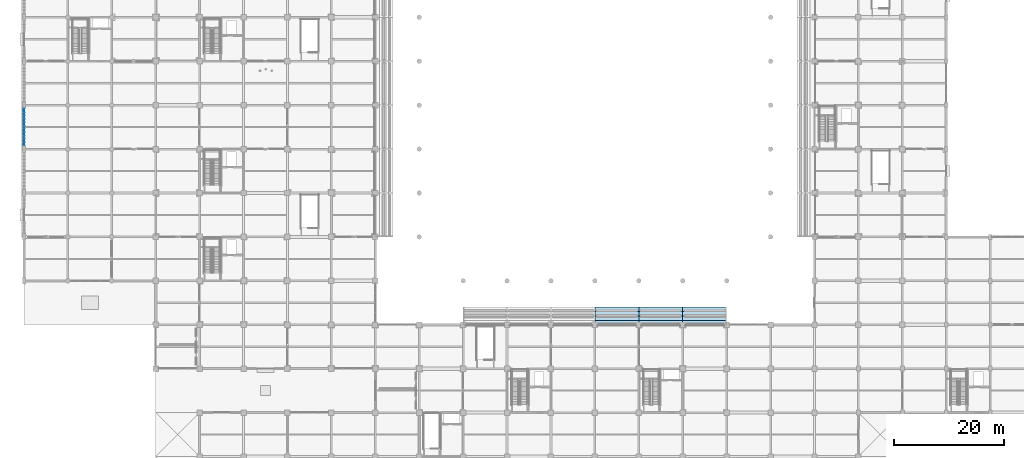
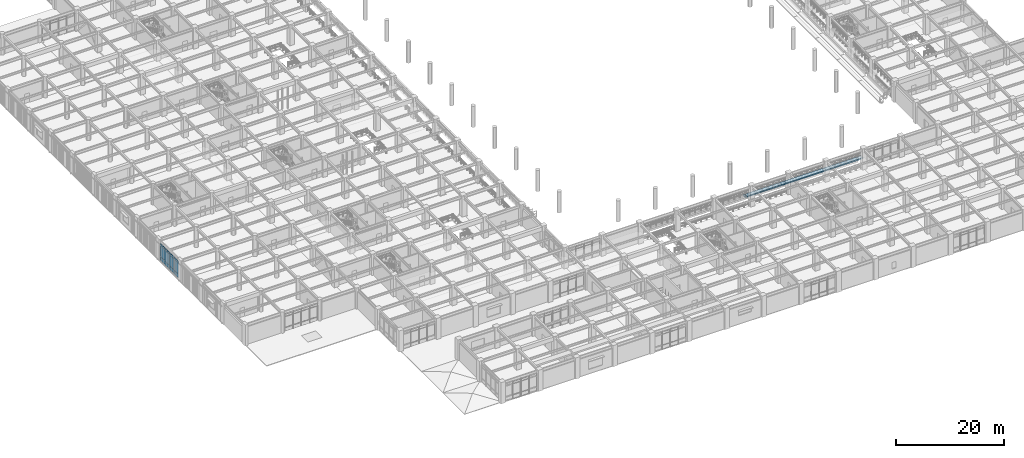
# One storey, part 59 of 117: 12 plates, 12 slabs, 1 element without a shape of its own.
"""IFC4 building model written with IfcOpenShell, lengths in metres."""

import ifcopenshell
import ifcopenshell.guid

model = None  # the IFC model being written
_history = None  # IfcOwnerHistory: only IFC2X3 demands one
_inside = {}  # id of a spatial element -> (the spatial element, [elements in it])
_under = {}  # id of a project, library or spatial element -> (it, [spatial elements below it])
_declared = {}  # id of a project -> (the project, [libraries it declares])
_typed = {}  # id of a type object -> (the type object, [elements of that type])
_made_of = {}  # id of a material, layer set ... -> (it, [elements and type objects made of it])


def new_model(schema):
    """Start an empty IFC model of exactly this schema.

    Asked for "IFC4X3", IfcOpenShell would pick the latest addendum, in which some entities
    have other attributes; the version numbers below select the first issue.
    IFC2X3 requires an IfcOwnerHistory on every rooted entity: one is made here for all.
    """
    global model, _history
    if schema == "IFC4X3":
        model = ifcopenshell.file(schema_version=(4, 3, 0, 0))
    else:
        model = ifcopenshell.file(schema=schema)
    _inside.clear()
    _under.clear()
    _declared.clear()
    _typed.clear()
    _made_of.clear()
    _history = None
    if model.schema == "IFC2X3":
        org = make("IfcOrganization", Name="unknown")
        user = make(
            "IfcPersonAndOrganization",
            ThePerson=make("IfcPerson", FamilyName="unknown"),
            TheOrganization=org,
        )
        app = make(
            "IfcApplication",
            ApplicationDeveloper=org,
            Version="unknown",
            ApplicationFullName="unknown",
            ApplicationIdentifier="unknown",
        )
        _history = make(
            "IfcOwnerHistory",
            OwningUser=user,
            OwningApplication=app,
            ChangeAction="ADDED",
            CreationDate=0,
        )
    return model


def make(cls, **values):
    """One entity of the class cls with the attributes given. An attribute that is None is left unset."""
    return model.create_entity(
        cls, **{name: value for name, value in values.items() if value is not None}
    )


def rooted(cls, **values):
    """An entity with a GlobalId (a new one), such as an element, a storey or a relation."""
    return make(cls, GlobalId=ifcopenshell.guid.new(), OwnerHistory=_history, **values)


def si_unit(unit_type, name, prefix=None):
    """IfcSIUnit, for example si_unit("LENGTHUNIT", "METRE", prefix="MILLI")."""
    return make("IfcSIUnit", UnitType=unit_type, Prefix=prefix, Name=name)


def assignment(units):
    """IfcUnitAssignment: the units of a project."""
    return None if units is None else make("IfcUnitAssignment", Units=units)


def point(xyz):
    """IfcCartesianPoint."""
    return None if xyz is None else make("IfcCartesianPoint", Coordinates=xyz)


def direction(xyz):
    """IfcDirection."""
    return None if xyz is None else make("IfcDirection", DirectionRatios=xyz)


def frame(location, z_axis=None, x_axis=None):
    """IfcAxis2Placement3D, a coordinate frame: its origin and axes. An axis left out is left unset."""
    return make(
        "IfcAxis2Placement3D",
        Location=point(location),
        Axis=direction(z_axis),
        RefDirection=direction(x_axis),
    )


def frame_2d(location, x_axis=None):
    """IfcAxis2Placement2D, a coordinate frame in the plane: its origin and x axis."""
    return make(
        "IfcAxis2Placement2D", Location=point(location), RefDirection=direction(x_axis)
    )


def origin():
    """The frame at (0, 0, 0) with its axes left unset."""
    return frame((0.0, 0.0, 0.0))


def origin_2d():
    """The frame at (0, 0) in the plane with its x axis left unset."""
    return frame_2d((0.0, 0.0))


def place(relative_to, where):
    """IfcLocalPlacement: puts the frame where relative to a parent placement (None: the world)."""
    return make(
        "IfcLocalPlacement", PlacementRelTo=relative_to, RelativePlacement=where
    )


def context(
    kind, dimensions, precision=None, world=None, true_north=None, identifier=None
):
    """IfcGeometricRepresentationContext, for example the 3D "Model" context."""
    return make(
        "IfcGeometricRepresentationContext",
        ContextIdentifier=identifier,
        ContextType=kind,
        CoordinateSpaceDimension=dimensions,
        Precision=precision,
        WorldCoordinateSystem=world,
        TrueNorth=true_north,
    )


def subcontext(parent, identifier, kind, view, scale=None):
    """IfcGeometricRepresentationSubContext, for example "Body" below "Model"."""
    return make(
        "IfcGeometricRepresentationSubContext",
        ContextIdentifier=identifier,
        ContextType=kind,
        ParentContext=parent,
        TargetScale=scale,
        TargetView=view,
    )


def project(units=None, contexts=None):
    """IfcProject with its units and contexts."""
    return rooted(
        "IfcProject",
        Name="project",
        RepresentationContexts=contexts,
        UnitsInContext=assignment(units),
    )


def spatial(cls, under=None, at=None, **own):
    """A site, building, storey or space (cls), placed at a placement, below another one or the project."""
    s = rooted(cls, ObjectPlacement=at, **own)
    if under is not None:
        _under.setdefault(under.id(), (under, []))[1].append(s)
    return s


def polyline(points):
    """IfcPolyline through the points."""
    return make("IfcPolyline", Points=[point(p) for p in points])


def profile(cls, at=None, kind="AREA", **sizes):
    """A parametric profile (cls). Its sizes go by their IFC names, for example OverallWidth=200.0."""
    return make(cls, ProfileType=kind, Position=at, **sizes)


def rectangle(**sizes):
    """IfcRectangleProfileDef."""
    return profile("IfcRectangleProfileDef", **sizes)


def outline(outer, holes=None, kind="AREA"):
    """IfcArbitraryClosedProfileDef: a profile drawn as a closed curve; with holes, ...WithVoids."""
    if holes is None:
        return make("IfcArbitraryClosedProfileDef", ProfileType=kind, OuterCurve=outer)
    return make(
        "IfcArbitraryProfileDefWithVoids",
        ProfileType=kind,
        OuterCurve=outer,
        InnerCurves=holes,
    )


def extrude(swept, where, along, depth):
    """IfcExtrudedAreaSolid: the profile swept, set in the frame where, extruded along a direction by depth."""
    return make(
        "IfcExtrudedAreaSolid",
        SweptArea=swept,
        Position=where,
        ExtrudedDirection=direction(along),
        Depth=depth,
    )


def shape(context_of_items, identifier, shape_type, items):
    """IfcShapeRepresentation: the items that make up one representation, for example the "Body"."""
    return make(
        "IfcShapeRepresentation",
        ContextOfItems=context_of_items,
        RepresentationIdentifier=identifier,
        RepresentationType=shape_type,
        Items=items,
    )


def material(Name=None, Category=None):
    """IfcMaterial."""
    return make("IfcMaterial", Name=Name, Category=Category)


def layer(
    of_material, thickness, ventilated=None, Name=None, Category=None, Priority=None
):
    """IfcMaterialLayer: one layer of a wall or slab, of a material (None: an air gap)."""
    return make(
        "IfcMaterialLayer",
        Material=of_material,
        LayerThickness=thickness,
        IsVentilated=ventilated,
        Name=Name,
        Category=Category,
        Priority=Priority,
    )


def layer_set(layers, Name=None):
    """IfcMaterialLayerSet."""
    return make("IfcMaterialLayerSet", MaterialLayers=layers, LayerSetName=Name)


def made_of(thing, what):
    """Note that an element or type object is made of a material, layer set ...; save() writes the relation."""
    if what is not None:
        _made_of.setdefault(what.id(), (what, []))[1].append(thing)
    return thing


def type_object(cls, material=None, **own):
    """A type object (cls), such as IfcWallType, which elements share."""
    return made_of(rooted(cls, **own), material)


def element(
    cls,
    number,
    at=None,
    inside=None,
    cuts=None,
    type_object=None,
    material=None,
    context=None,
    identifier="Body",
    shape_type=None,
    held_by="IfcProductDefinitionShape",
    body=None,
    shapes=None,
    **own,
):
    """One element of the class cls, such as IfcWall. Its Tag is "e" and its number.

    at: its placement. inside: the storey or other place that contains it. cuts: it is an
    opening in that element (IfcRelVoidsElement). A single representation is given by context,
    identifier, shape_type and body (its items); several are given by shapes. held_by: the class
    of the entity that holds the representations. save() writes the other relations.
    """
    e = rooted(cls, Tag="e%d" % number, ObjectPlacement=at, **own)
    if body is not None:
        shapes = [shape(context, identifier, shape_type, body)]
    if shapes is not None:
        e.Representation = make(held_by, Representations=shapes)
    if inside is not None:
        _inside.setdefault(inside.id(), (inside, []))[1].append(e)
    if cuts is not None:
        rooted(
            "IfcRelVoidsElement", RelatingBuildingElement=cuts, RelatedOpeningElement=e
        )
    if type_object is not None:
        _typed.setdefault(type_object.id(), (type_object, []))[1].append(e)
    return made_of(e, material)


def aggregate(whole, parts):
    """IfcRelAggregates: a whole, such as a stair, and the parts it consists of."""
    return rooted("IfcRelAggregates", RelatingObject=whole, RelatedObjects=parts)


def save(model, path):
    """Write the relations noted so far, then the file.

    IfcRelAggregates (storeys below a building ...), IfcRelContainedInSpatialStructure (elements
    in a storey), IfcRelDefinesByType, IfcRelAssociatesMaterial and IfcRelDeclares: one each for
    every whole, place, type object, material and project.
    """
    for whole, parts in _under.values():
        aggregate(whole, parts)
    for where, things in _inside.values():
        rooted(
            "IfcRelContainedInSpatialStructure",
            RelatedElements=things,
            RelatingStructure=where,
        )
    for kind, things in _typed.values():
        rooted("IfcRelDefinesByType", RelatedObjects=things, RelatingType=kind)
    for what, things in _made_of.values():
        rooted("IfcRelAssociatesMaterial", RelatedObjects=things, RelatingMaterial=what)
    for by, libraries in _declared.values():
        rooted("IfcRelDeclares", RelatingContext=by, RelatedDefinitions=libraries)
    model.write(path)


model = new_model("IFC4")

# Units and contexts
model_context = context("Model", 3, precision=1e-05, world=origin(), true_north=direction((0.0, 1.0)))
body_context = subcontext(model_context, "Body", "Model", "MODEL_VIEW")
ifc_project = project(units=[si_unit("LENGTHUNIT", "METRE"), si_unit("AREAUNIT", "SQUARE_METRE"), si_unit("VOLUMEUNIT", "CUBIC_METRE"), si_unit("PLANEANGLEUNIT", "RADIAN"), si_unit("MASSUNIT", "GRAM", prefix="KILO")], contexts=[model_context])

# Site, building, storey
site_placement = place(None, origin())
site = spatial("IfcSite", under=ifc_project, at=site_placement, CompositionType="ELEMENT")
building_placement = place(site_placement, origin())
building = spatial("IfcBuilding", under=site, at=building_placement, Name="Haebicheon Civic Stadium", CompositionType="ELEMENT")
storey_placement = place(building_placement, frame((0.0, 0.0, 4.800048828125)))
storey = spatial("IfcBuildingStorey", under=building, at=storey_placement, Name="L02", CompositionType="ELEMENT", Elevation=4.800048828125)

# Curtain wall, plates
ifc_material_1 = material(Name="Anodised aluminium and laminated glass", Category="aluminium")
ifc_layer_1 = layer(ifc_material_1, 0.179931640625, Name="Anodised aluminium and laminated glass")
ifc_layer_set_1 = layer_set([ifc_layer_1], Name="Anodised aluminium and laminated glass")
curtain_wall_type = type_object("IfcCurtainWallType", Name="CW-6800x3950", PredefinedType="NOTDEFINED", material=ifc_layer_set_1)
curtain_wall_placement = place(storey_placement, origin())
curtain_wall = element("IfcCurtainWall", 1, at=curtain_wall_placement, inside=storey, type_object=curtain_wall_type, material=ifc_layer_set_1, Name="L02 unitised curtain wall 030", PredefinedType="NOTDEFINED")
ifc_material_2 = material(Name="Double low-e laminated glass", Category="glass")
ifc_layer_2 = layer(ifc_material_2, 0.028076171875, Name="Double low-e laminated glass")
ifc_layer_set_2 = layer_set([ifc_layer_2], Name="Double low-e laminated glass")
plate_type_1 = type_object("IfcPlateType", Name="CWP-GLZ-28", PredefinedType="CURTAIN_PANEL", material=ifc_layer_set_2)
plate_1_placement = place(storey_placement, frame((0.0, 65.468017578125, 0.93505859375), z_axis=(0.0, 0.0, 1.0), x_axis=(0.0, 1.0, 0.0)))
plate_1 = element("IfcPlate", 2, at=plate_1_placement, type_object=plate_type_1, material=ifc_layer_set_2, Name="CW-L02-030 vision panel 1.2", PredefinedType="CURTAIN_PANEL", context=body_context, shape_type="SweptSolid", body=[
    extrude(rectangle(XDim=1.594970703125, YDim=0.028076171875, at=origin_2d()), origin(), (0.0, 0.0, 1.0), 2.429931640625),
])
plate_2_placement = place(storey_placement, frame((0.0, 67.14990234375, 0.93505859375), z_axis=(0.0, 0.0, 1.0), x_axis=(0.0, 1.0, 0.0)))
plate_2 = element("IfcPlate", 3, at=plate_2_placement, type_object=plate_type_1, material=ifc_layer_set_2, Name="CW-L02-030 vision panel 2.2", PredefinedType="CURTAIN_PANEL", context=body_context, shape_type="SweptSolid", body=[
    extrude(rectangle(XDim=1.6298828125, YDim=0.028076171875, at=origin_2d()), origin(), (0.0, 0.0, 1.0), 2.429931640625),
])
plate_3_placement = place(storey_placement, frame((0.0, 68.85009765625, 0.93505859375), z_axis=(0.0, 0.0, 1.0), x_axis=(0.0, 1.0, 0.0)))
plate_3 = element("IfcPlate", 4, at=plate_3_placement, type_object=plate_type_1, material=ifc_layer_set_2, Name="CW-L02-030 vision panel 3.2", PredefinedType="CURTAIN_PANEL", context=body_context, shape_type="SweptSolid", body=[
    extrude(rectangle(XDim=1.6298828125, YDim=0.028076171875, at=origin_2d()), origin(), (0.0, 0.0, 1.0), 2.429931640625),
])
plate_4_placement = place(storey_placement, frame((0.0, 70.531982421875, 0.93505859375), z_axis=(0.0, 0.0, 1.0), x_axis=(0.0, 1.0, 0.0)))
plate_4 = element("IfcPlate", 5, at=plate_4_placement, type_object=plate_type_1, material=ifc_layer_set_2, Name="CW-L02-030 vision panel 4.2", PredefinedType="CURTAIN_PANEL", context=body_context, shape_type="SweptSolid", body=[
    extrude(rectangle(XDim=1.594970703125, YDim=0.028076171875, at=origin_2d()), origin(), (0.0, 0.0, 1.0), 2.429931640625),
])
ifc_material_3 = material(Name="Anodised aluminium 6063-T6", Category="aluminium")
ifc_layer_3 = layer(ifc_material_3, 0.053955078125, Name="Anodised aluminium 6063-T6")
ifc_layer_set_3 = layer_set([ifc_layer_3], Name="Anodised aluminium 6063-T6")
plate_type_2 = type_object("IfcPlateType", Name="CWP-SPD-54", PredefinedType="CURTAIN_PANEL", material=ifc_layer_set_3)
plate_5_placement = place(storey_placement, frame((0.0, 65.468017578125, 0.034912109375), z_axis=(0.0, 0.0, 1.0), x_axis=(0.0, 1.0, 0.0)))
plate_5 = element("IfcPlate", 6, at=plate_5_placement, type_object=plate_type_2, material=ifc_layer_set_3, Name="CW-L02-030 spandrel panel 1.1", PredefinedType="CURTAIN_PANEL", context=body_context, shape_type="SweptSolid", body=[
    extrude(rectangle(XDim=1.594970703125, YDim=0.053955078125, at=origin_2d()), origin(), (0.0, 0.0, 1.0), 0.830078125),
])
plate_6_placement = place(storey_placement, frame((0.0, 65.468017578125, 3.43505859375), z_axis=(0.0, 0.0, 1.0), x_axis=(0.0, 1.0, 0.0)))
plate_6 = element("IfcPlate", 7, at=plate_6_placement, type_object=plate_type_2, material=ifc_layer_set_3, Name="CW-L02-030 spandrel panel 1.3", PredefinedType="CURTAIN_PANEL", context=body_context, shape_type="SweptSolid", body=[
    extrude(rectangle(XDim=1.594970703125, YDim=0.053955078125, at=origin_2d()), origin(), (0.0, 0.0, 1.0), 0.47998046875),
])
plate_7_placement = place(storey_placement, frame((0.0, 67.14990234375, 0.034912109375), z_axis=(0.0, 0.0, 1.0), x_axis=(0.0, 1.0, 0.0)))
plate_7 = element("IfcPlate", 8, at=plate_7_placement, type_object=plate_type_2, material=ifc_layer_set_3, Name="CW-L02-030 spandrel panel 2.1", PredefinedType="CURTAIN_PANEL", context=body_context, shape_type="SweptSolid", body=[
    extrude(rectangle(XDim=1.6298828125, YDim=0.053955078125, at=origin_2d()), origin(), (0.0, 0.0, 1.0), 0.830078125),
])
plate_8_placement = place(storey_placement, frame((0.0, 67.14990234375, 3.43505859375), z_axis=(0.0, 0.0, 1.0), x_axis=(0.0, 1.0, 0.0)))
plate_8 = element("IfcPlate", 9, at=plate_8_placement, type_object=plate_type_2, material=ifc_layer_set_3, Name="CW-L02-030 spandrel panel 2.3", PredefinedType="CURTAIN_PANEL", context=body_context, shape_type="SweptSolid", body=[
    extrude(rectangle(XDim=1.6298828125, YDim=0.053955078125, at=origin_2d()), origin(), (0.0, 0.0, 1.0), 0.47998046875),
])
plate_9_placement = place(storey_placement, frame((0.0, 68.85009765625, 0.034912109375), z_axis=(0.0, 0.0, 1.0), x_axis=(0.0, 1.0, 0.0)))
plate_9 = element("IfcPlate", 10, at=plate_9_placement, type_object=plate_type_2, material=ifc_layer_set_3, Name="CW-L02-030 spandrel panel 3.1", PredefinedType="CURTAIN_PANEL", context=body_context, shape_type="SweptSolid", body=[
    extrude(rectangle(XDim=1.6298828125, YDim=0.053955078125, at=origin_2d()), origin(), (0.0, 0.0, 1.0), 0.830078125),
])
plate_10_placement = place(storey_placement, frame((0.0, 68.85009765625, 3.43505859375), z_axis=(0.0, 0.0, 1.0), x_axis=(0.0, 1.0, 0.0)))
plate_10 = element("IfcPlate", 11, at=plate_10_placement, type_object=plate_type_2, material=ifc_layer_set_3, Name="CW-L02-030 spandrel panel 3.3", PredefinedType="CURTAIN_PANEL", context=body_context, shape_type="SweptSolid", body=[
    extrude(rectangle(XDim=1.6298828125, YDim=0.053955078125, at=origin_2d()), origin(), (0.0, 0.0, 1.0), 0.47998046875),
])
plate_11_placement = place(storey_placement, frame((0.0, 70.531982421875, 0.034912109375), z_axis=(0.0, 0.0, 1.0), x_axis=(0.0, 1.0, 0.0)))
plate_11 = element("IfcPlate", 12, at=plate_11_placement, type_object=plate_type_2, material=ifc_layer_set_3, Name="CW-L02-030 spandrel panel 4.1", PredefinedType="CURTAIN_PANEL", context=body_context, shape_type="SweptSolid", body=[
    extrude(rectangle(XDim=1.594970703125, YDim=0.053955078125, at=origin_2d()), origin(), (0.0, 0.0, 1.0), 0.830078125),
])
plate_12_placement = place(storey_placement, frame((0.0, 70.531982421875, 3.43505859375), z_axis=(0.0, 0.0, 1.0), x_axis=(0.0, 1.0, 0.0)))
plate_12 = element("IfcPlate", 13, at=plate_12_placement, type_object=plate_type_2, material=ifc_layer_set_3, Name="CW-L02-030 spandrel panel 4.3", PredefinedType="CURTAIN_PANEL", context=body_context, shape_type="SweptSolid", body=[
    extrude(rectangle(XDim=1.594970703125, YDim=0.053955078125, at=origin_2d()), origin(), (0.0, 0.0, 1.0), 0.47998046875),
])
aggregate(curtain_wall, [plate_5, plate_1, plate_6, plate_7, plate_2, plate_8, plate_9, plate_3, plate_10, plate_11, plate_4, plate_12])

# Slabs
ifc_material_4 = material(Name="Precast concrete C40/50", Category="concrete")
ifc_layer_4 = layer(ifc_material_4, 0.239990234375, Name="Precast concrete C40/50")
ifc_layer_set_4 = layer_set([ifc_layer_4], Name="Precast concrete C40/50")
slab_type = type_object("IfcSlabType", Name="SLB-TIER-240", PredefinedType="USERDEFINED", material=ifc_layer_set_4)
slab_1_placement = place(storey_placement, frame((0.0, 0.0, 0.159912109375)))
element("IfcSlab", 14, at=slab_1_placement, inside=storey, type_object=slab_type, material=ifc_layer_set_4, Name="TIER-S-L precast seating tier bay 4 row-band 7", ObjectType="SEATING TIER", PredefinedType="USERDEFINED", context=body_context, shape_type="SweptSolid", body=[
    extrude(outline(polyline([(104.0, 34.39990234375), (112.0, 34.39990234375), (112.0, 35.199951171875), (104.0, 35.199951171875), (104.0, 34.39990234375)])), origin(), (0.0, 0.0, 1.0), 0.239990234375),
])
slab_2_placement = place(storey_placement, frame((0.0, 0.0, 0.826904296875)))
element("IfcSlab", 15, at=slab_2_placement, inside=storey, type_object=slab_type, material=ifc_layer_set_4, Name="TIER-S-L precast seating tier bay 4 row-band 8", ObjectType="SEATING TIER", PredefinedType="USERDEFINED", context=body_context, shape_type="SweptSolid", body=[
    extrude(outline(polyline([(104.0, 33.60009765625), (112.0, 33.60009765625), (112.0, 34.39990234375), (104.0, 34.39990234375), (104.0, 33.60009765625)])), origin(), (0.0, 0.0, 1.0), 0.239990234375),
])
slab_3_placement = place(storey_placement, frame((0.0, 0.0, 1.492919921875)))
element("IfcSlab", 16, at=slab_3_placement, inside=storey, type_object=slab_type, material=ifc_layer_set_4, Name="TIER-S-L precast seating tier bay 4 row-band 9", ObjectType="SEATING TIER", PredefinedType="USERDEFINED", context=body_context, shape_type="SweptSolid", body=[
    extrude(outline(polyline([(104.0, 32.800048828125), (112.0, 32.800048828125), (112.0, 33.60009765625), (104.0, 33.60009765625), (104.0, 32.800048828125)])), origin(), (0.0, 0.0, 1.0), 0.239990234375),
])
slab_4_placement = place(storey_placement, frame((0.0, 0.0, 2.159912109375)))
element("IfcSlab", 17, at=slab_4_placement, inside=storey, type_object=slab_type, material=ifc_layer_set_4, Name="TIER-S-L precast seating tier bay 4 row-band 10", ObjectType="SEATING TIER", PredefinedType="USERDEFINED", context=body_context, shape_type="SweptSolid", body=[
    extrude(outline(polyline([(104.0, 32.0), (112.0, 32.0), (112.0, 32.800048828125), (104.0, 32.800048828125), (104.0, 32.0)])), origin(), (0.0, 0.0, 1.0), 0.239990234375),
])
slab_5_placement = place(storey_placement, frame((0.0, 0.0, 0.159912109375)))
element("IfcSlab", 18, at=slab_5_placement, inside=storey, type_object=slab_type, material=ifc_layer_set_4, Name="TIER-S-L precast seating tier bay 5 row-band 7", ObjectType="SEATING TIER", PredefinedType="USERDEFINED", context=body_context, shape_type="SweptSolid", body=[
    extrude(outline(polyline([(112.0, 34.39990234375), (120.0, 34.39990234375), (120.0, 35.199951171875), (112.0, 35.199951171875), (112.0, 34.39990234375)])), origin(), (0.0, 0.0, 1.0), 0.239990234375),
])
slab_6_placement = place(storey_placement, frame((0.0, 0.0, 0.826904296875)))
element("IfcSlab", 19, at=slab_6_placement, inside=storey, type_object=slab_type, material=ifc_layer_set_4, Name="TIER-S-L precast seating tier bay 5 row-band 8", ObjectType="SEATING TIER", PredefinedType="USERDEFINED", context=body_context, shape_type="SweptSolid", body=[
    extrude(outline(polyline([(112.0, 33.60009765625), (120.0, 33.60009765625), (120.0, 34.39990234375), (112.0, 34.39990234375), (112.0, 33.60009765625)])), origin(), (0.0, 0.0, 1.0), 0.239990234375),
])
slab_7_placement = place(storey_placement, frame((0.0, 0.0, 1.492919921875)))
element("IfcSlab", 20, at=slab_7_placement, inside=storey, type_object=slab_type, material=ifc_layer_set_4, Name="TIER-S-L precast seating tier bay 5 row-band 9", ObjectType="SEATING TIER", PredefinedType="USERDEFINED", context=body_context, shape_type="SweptSolid", body=[
    extrude(outline(polyline([(112.0, 32.800048828125), (120.0, 32.800048828125), (120.0, 33.60009765625), (112.0, 33.60009765625), (112.0, 32.800048828125)])), origin(), (0.0, 0.0, 1.0), 0.239990234375),
])
slab_8_placement = place(storey_placement, frame((0.0, 0.0, 2.159912109375)))
element("IfcSlab", 21, at=slab_8_placement, inside=storey, type_object=slab_type, material=ifc_layer_set_4, Name="TIER-S-L precast seating tier bay 5 row-band 10", ObjectType="SEATING TIER", PredefinedType="USERDEFINED", context=body_context, shape_type="SweptSolid", body=[
    extrude(outline(polyline([(112.0, 32.0), (120.0, 32.0), (120.0, 32.800048828125), (112.0, 32.800048828125), (112.0, 32.0)])), origin(), (0.0, 0.0, 1.0), 0.239990234375),
])
slab_9_placement = place(storey_placement, frame((0.0, 0.0, 0.159912109375)))
element("IfcSlab", 22, at=slab_9_placement, inside=storey, type_object=slab_type, material=ifc_layer_set_4, Name="TIER-S-L precast seating tier bay 6 row-band 7", ObjectType="SEATING TIER", PredefinedType="USERDEFINED", context=body_context, shape_type="SweptSolid", body=[
    extrude(outline(polyline([(120.0, 34.39990234375), (128.0, 34.39990234375), (128.0, 35.199951171875), (120.0, 35.199951171875), (120.0, 34.39990234375)])), origin(), (0.0, 0.0, 1.0), 0.239990234375),
])
slab_10_placement = place(storey_placement, frame((0.0, 0.0, 0.826904296875)))
element("IfcSlab", 23, at=slab_10_placement, inside=storey, type_object=slab_type, material=ifc_layer_set_4, Name="TIER-S-L precast seating tier bay 6 row-band 8", ObjectType="SEATING TIER", PredefinedType="USERDEFINED", context=body_context, shape_type="SweptSolid", body=[
    extrude(outline(polyline([(120.0, 33.60009765625), (128.0, 33.60009765625), (128.0, 34.39990234375), (120.0, 34.39990234375), (120.0, 33.60009765625)])), origin(), (0.0, 0.0, 1.0), 0.239990234375),
])
slab_11_placement = place(storey_placement, frame((0.0, 0.0, 1.492919921875)))
element("IfcSlab", 24, at=slab_11_placement, inside=storey, type_object=slab_type, material=ifc_layer_set_4, Name="TIER-S-L precast seating tier bay 6 row-band 9", ObjectType="SEATING TIER", PredefinedType="USERDEFINED", context=body_context, shape_type="SweptSolid", body=[
    extrude(outline(polyline([(120.0, 32.800048828125), (128.0, 32.800048828125), (128.0, 33.60009765625), (120.0, 33.60009765625), (120.0, 32.800048828125)])), origin(), (0.0, 0.0, 1.0), 0.239990234375),
])
slab_12_placement = place(storey_placement, frame((0.0, 0.0, 2.159912109375)))
element("IfcSlab", 25, at=slab_12_placement, inside=storey, type_object=slab_type, material=ifc_layer_set_4, Name="TIER-S-L precast seating tier bay 6 row-band 10", ObjectType="SEATING TIER", PredefinedType="USERDEFINED", context=body_context, shape_type="SweptSolid", body=[
    extrude(outline(polyline([(120.0, 32.0), (128.0, 32.0), (128.0, 32.800048828125), (120.0, 32.800048828125), (120.0, 32.0)])), origin(), (0.0, 0.0, 1.0), 0.239990234375),
])

save(model, "model.ifc")
